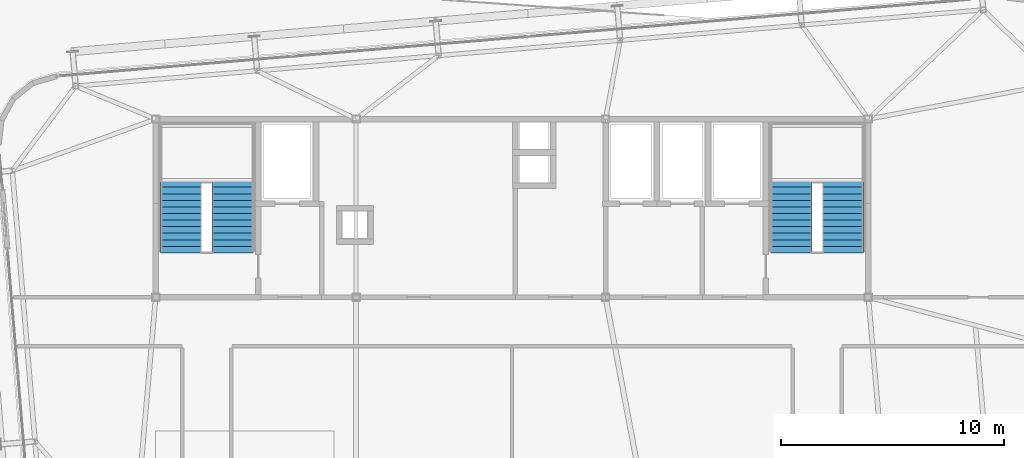
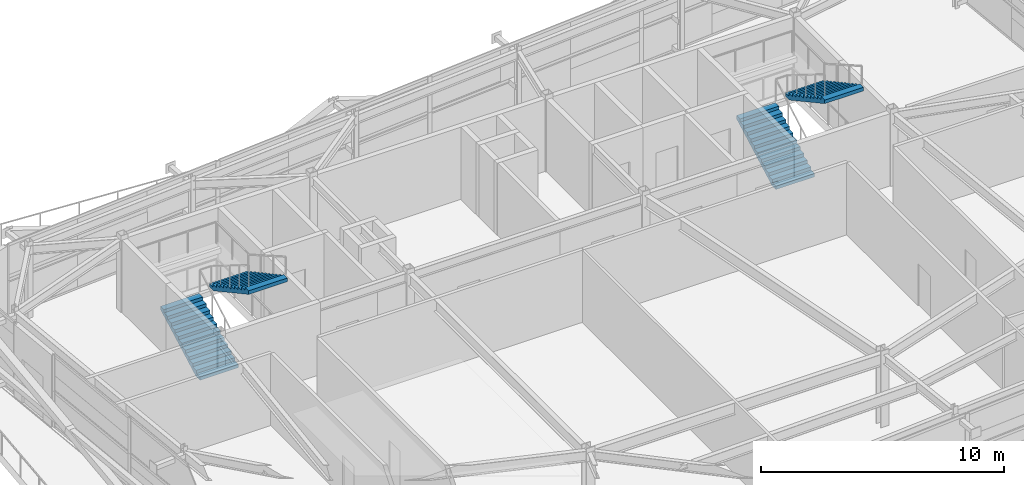
# One storey, part 35 of 38: 4 stair flights, 2 elements without a shape of their own.
"""IFC4 building model written with IfcOpenShell, lengths in metres."""

from ifc_helpers import new_model, si_unit, direction, frame, origin, place, context, subcontext, project, spatial, polyline, outline, extrude, material, type_object, element, aggregate, save


model = new_model("IFC4")

# Units and contexts
model_context = context("Model", 3, precision=1e-05, world=origin(), true_north=direction((0.0, 1.0)))
body_context = subcontext(model_context, "Body", "Model", "MODEL_VIEW")
ifc_project = project(units=[si_unit("LENGTHUNIT", "METRE"), si_unit("AREAUNIT", "SQUARE_METRE"), si_unit("VOLUMEUNIT", "CUBIC_METRE"), si_unit("PLANEANGLEUNIT", "RADIAN"), si_unit("MASSUNIT", "GRAM", prefix="KILO")], contexts=[model_context])

# Site, building, storey
site_placement = place(None, origin())
site = spatial("IfcSite", under=ifc_project, at=site_placement, CompositionType="ELEMENT")
building_placement = place(site_placement, origin())
building = spatial("IfcBuilding", under=site, at=building_placement, Name="Taldren Reach Tower", CompositionType="ELEMENT")
storey_placement = place(building_placement, frame((0.0, 0.0, 168.699951171875)))
storey = spatial("IfcBuildingStorey", under=building, at=storey_placement, Name="L51", CompositionType="ELEMENT", Elevation=168.699951171875)

# Stair, stair flights
ifc_material = material(Name="Concrete S50 (50 MPa)", Category="concrete")
stair_type = type_object("IfcStairType", Name="ST-HT-385", PredefinedType="HALF_TURN_STAIR", material=ifc_material)
stair_1_placement = place(storey_placement, origin())
stair_1 = element("IfcStair", 1, at=stair_1_placement, inside=storey, type_object=stair_type, Name="Fire-isolated exit stair ST1 L51", PredefinedType="HALF_TURN_STAIR")
stair_flight_type = type_object("IfcStairFlightType", Name="SF-STR-385", PredefinedType="STRAIGHT", material=ifc_material)
stair_flight_1_placement = place(storey_placement, frame((20.139892578125, 25.989990234375, 0.0), z_axis=(0.0, 0.0, 1.0), x_axis=(0.0, 1.0, 0.0)))
stair_flight_1 = element("IfcStairFlight", 2, at=stair_flight_1_placement, type_object=stair_flight_type, Name="ST1 flight 1", NumberOfRisers=12, NumberOfTreads=11, PredefinedType="STRAIGHT", RiserHeight=0.160417, TreadLength=0.295, context=body_context, shape_type="SweptSolid", body=[
    extrude(outline(polyline([(0.0, 0.0), (0.0, 0.160400390625), (0.294921875, 0.160400390625), (0.294921875, 0.32080078125), (0.590087890625, 0.32080078125), (0.590087890625, 0.481201171875), (0.885009765625, 0.481201171875), (0.885009765625, 0.6416015625), (1.179931640625, 0.6416015625), (1.179931640625, 0.802001953125), (1.47509765625, 0.802001953125), (1.47509765625, 0.96240234375), (1.77001953125, 0.96240234375), (1.77001953125, 1.122802734375), (2.06494140625, 1.122802734375), (2.06494140625, 1.283447265625), (2.360107421875, 1.283447265625), (2.360107421875, 1.44384765625), (2.655029296875, 1.44384765625), (2.655029296875, 1.604248046875), (2.949951171875, 1.604248046875), (2.949951171875, 1.7646484375), (3.2451171875, 1.7646484375), (3.2451171875, 1.925048828125), (3.2451171875, 1.58251953125), (0.334716796875, 0.0), (0.0, 0.0)])), frame((0.0, 0.919921875, 0.0), z_axis=(0.0, -1.0, 0.0), x_axis=(1.0, 0.0, 0.0)), (0.0, 0.0, 1.0), 1.840087890625),
])
stair_flight_2_placement = place(storey_placement, frame((22.4599609375, 29.235107421875, 1.925048828125), z_axis=(0.0, 0.0, 1.0), x_axis=(0.0, -1.0, 0.0)))
stair_flight_2 = element("IfcStairFlight", 3, at=stair_flight_2_placement, type_object=stair_flight_type, Name="ST1 flight 2", NumberOfRisers=12, NumberOfTreads=11, PredefinedType="STRAIGHT", RiserHeight=0.160417, TreadLength=0.295, context=body_context, shape_type="SweptSolid", body=[
    extrude(outline(polyline([(0.0, 0.0), (0.0, 0.160400390625), (0.294921875, 0.160400390625), (0.294921875, 0.32080078125), (0.590087890625, 0.32080078125), (0.590087890625, 0.481201171875), (0.885009765625, 0.481201171875), (0.885009765625, 0.6416015625), (1.179931640625, 0.6416015625), (1.179931640625, 0.802001953125), (1.47509765625, 0.802001953125), (1.47509765625, 0.96240234375), (1.77001953125, 0.96240234375), (1.77001953125, 1.122802734375), (2.06494140625, 1.122802734375), (2.06494140625, 1.283447265625), (2.360107421875, 1.283447265625), (2.360107421875, 1.44384765625), (2.655029296875, 1.44384765625), (2.655029296875, 1.604248046875), (2.949951171875, 1.604248046875), (2.949951171875, 1.7646484375), (3.2451171875, 1.7646484375), (3.2451171875, 1.925048828125), (3.2451171875, 1.58251953125), (0.334716796875, 0.0), (0.0, 0.0)])), frame((0.0, 0.919921875, 0.0), z_axis=(0.0, -1.0, 0.0), x_axis=(1.0, 0.0, 0.0)), (0.0, 0.0, 1.0), 1.840087890625),
])
aggregate(stair_1, [stair_flight_1, stair_flight_2])

stair_2_placement = place(storey_placement, origin())
stair_2 = element("IfcStair", 4, at=stair_2_placement, inside=storey, type_object=stair_type, Name="Fire-isolated exit stair ST2 L51", PredefinedType="HALF_TURN_STAIR")
stair_flight_3_placement = place(storey_placement, frame((47.5400390625, 25.989990234375, 0.0), z_axis=(0.0, 0.0, 1.0), x_axis=(0.0, 1.0, 0.0)))
stair_flight_3 = element("IfcStairFlight", 5, at=stair_flight_3_placement, type_object=stair_flight_type, Name="ST2 flight 1", NumberOfRisers=12, NumberOfTreads=11, PredefinedType="STRAIGHT", RiserHeight=0.160417, TreadLength=0.295, context=body_context, shape_type="SweptSolid", body=[
    extrude(outline(polyline([(0.0, 0.0), (0.0, 0.160400390625), (0.294921875, 0.160400390625), (0.294921875, 0.32080078125), (0.590087890625, 0.32080078125), (0.590087890625, 0.481201171875), (0.885009765625, 0.481201171875), (0.885009765625, 0.6416015625), (1.179931640625, 0.6416015625), (1.179931640625, 0.802001953125), (1.47509765625, 0.802001953125), (1.47509765625, 0.96240234375), (1.77001953125, 0.96240234375), (1.77001953125, 1.122802734375), (2.06494140625, 1.122802734375), (2.06494140625, 1.283447265625), (2.360107421875, 1.283447265625), (2.360107421875, 1.44384765625), (2.655029296875, 1.44384765625), (2.655029296875, 1.604248046875), (2.949951171875, 1.604248046875), (2.949951171875, 1.7646484375), (3.2451171875, 1.7646484375), (3.2451171875, 1.925048828125), (3.2451171875, 1.58251953125), (0.334716796875, 0.0), (0.0, 0.0)])), frame((0.0, 0.919921875, 0.0), z_axis=(0.0, -1.0, 0.0), x_axis=(1.0, 0.0, 0.0)), (0.0, 0.0, 1.0), 1.840087890625),
])
stair_flight_4_placement = place(storey_placement, frame((49.860107421875, 29.235107421875, 1.925048828125), z_axis=(0.0, 0.0, 1.0), x_axis=(0.0, -1.0, 0.0)))
stair_flight_4 = element("IfcStairFlight", 6, at=stair_flight_4_placement, type_object=stair_flight_type, Name="ST2 flight 2", NumberOfRisers=12, NumberOfTreads=11, PredefinedType="STRAIGHT", RiserHeight=0.160417, TreadLength=0.295, context=body_context, shape_type="SweptSolid", body=[
    extrude(outline(polyline([(0.0, 0.0), (0.0, 0.160400390625), (0.294921875, 0.160400390625), (0.294921875, 0.32080078125), (0.590087890625, 0.32080078125), (0.590087890625, 0.481201171875), (0.885009765625, 0.481201171875), (0.885009765625, 0.6416015625), (1.179931640625, 0.6416015625), (1.179931640625, 0.802001953125), (1.47509765625, 0.802001953125), (1.47509765625, 0.96240234375), (1.77001953125, 0.96240234375), (1.77001953125, 1.122802734375), (2.06494140625, 1.122802734375), (2.06494140625, 1.283447265625), (2.360107421875, 1.283447265625), (2.360107421875, 1.44384765625), (2.655029296875, 1.44384765625), (2.655029296875, 1.604248046875), (2.949951171875, 1.604248046875), (2.949951171875, 1.7646484375), (3.2451171875, 1.7646484375), (3.2451171875, 1.925048828125), (3.2451171875, 1.58251953125), (0.334716796875, 0.0), (0.0, 0.0)])), frame((0.0, 0.919921875, 0.0), z_axis=(0.0, -1.0, 0.0), x_axis=(1.0, 0.0, 0.0)), (0.0, 0.0, 1.0), 1.840087890625),
])
aggregate(stair_2, [stair_flight_3, stair_flight_4])

save(model, "model.ifc")
